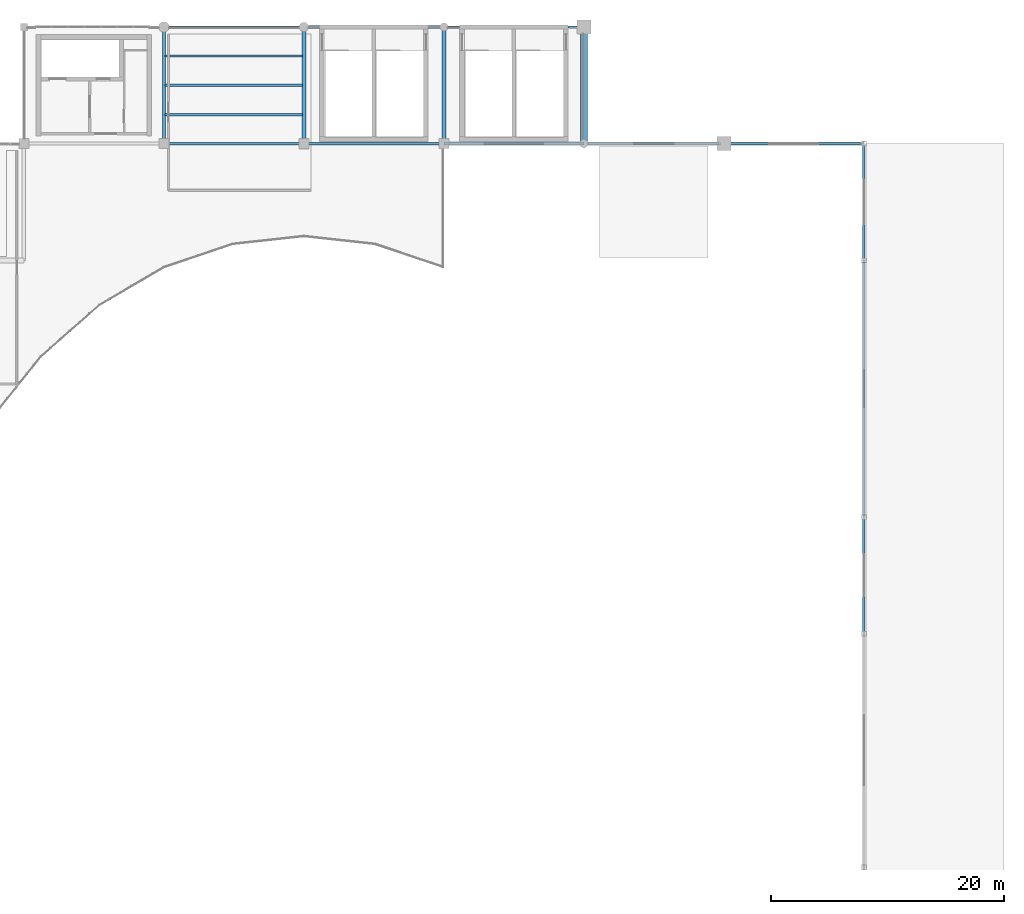
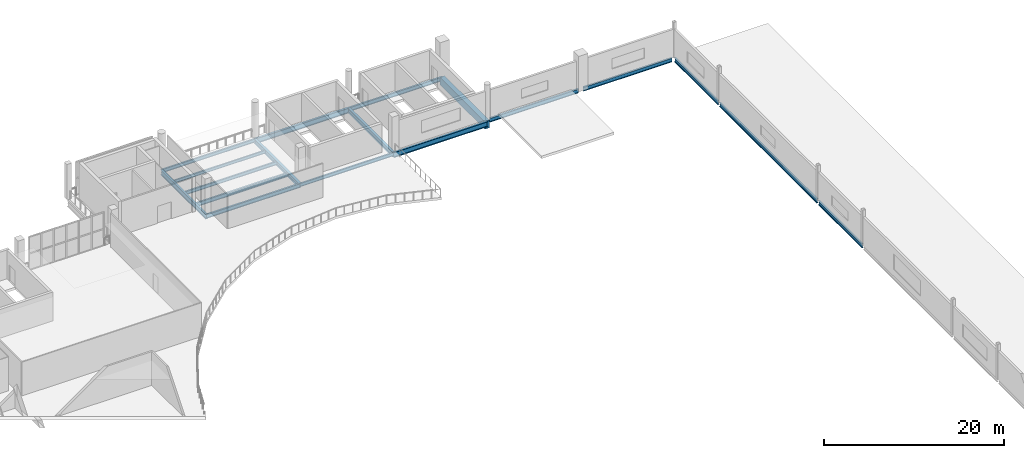
# One storey, part 29 of 49: 18 beams.
"""IFC4 building model written with IfcOpenShell, lengths in metres."""

from ifc_helpers import new_model, si_unit, direction, frame, origin, origin_2d, place, context, subcontext, project, spatial, rectangle, i_section, extrude, material, material_profile, profile_set, type_object, element, save


model = new_model("IFC4")

# Units and contexts
model_context = context("Model", 3, precision=1e-05, world=origin(), true_north=direction((0.0, 1.0)))
body_context = subcontext(model_context, "Body", "Model", "MODEL_VIEW")
ifc_project = project(units=[si_unit("LENGTHUNIT", "METRE"), si_unit("AREAUNIT", "SQUARE_METRE"), si_unit("VOLUMEUNIT", "CUBIC_METRE"), si_unit("PLANEANGLEUNIT", "RADIAN"), si_unit("MASSUNIT", "GRAM", prefix="KILO")], contexts=[model_context])

# Site, building, storey
site_placement = place(None, origin())
site = spatial("IfcSite", under=ifc_project, at=site_placement, CompositionType="ELEMENT")
building_placement = place(site_placement, origin())
building = spatial("IfcBuilding", under=site, at=building_placement, Name="Brinegate Civic Arena", CompositionType="ELEMENT")
storey_placement = place(building_placement, frame((0.0, 0.0, 24.60009765625)))
storey = spatial("IfcBuildingStorey", under=building, at=storey_placement, Name="L05", CompositionType="ELEMENT", Elevation=24.60009765625)

# Beams
ifc_material_1 = material(Name="Steel S355", Category="steel")
ifc_material_profile_1 = material_profile(ifc_material_1, i_section(OverallWidth=0.323974609375, OverallDepth=0.611083984375, WebThickness=0.012939453125, FlangeThickness=0.01904296875, FilletRadius=0.01611328125, at=origin_2d()), Name="W610X155")
ifc_profile_set_1 = profile_set([ifc_material_profile_1], Name="Steel S355")
beam_type_1 = type_object("IfcBeamType", Name="GIRDER-W610X155", PredefinedType="BEAM", material=ifc_profile_set_1)
beam_1_placement = place(storey_placement, frame((108.0, 114.0, -0.635009765625), z_axis=(0.0, 1.0, 0.0), x_axis=(-1.0, 0.0, 0.0)))
element("IfcBeam", 1, at=beam_1_placement, inside=storey, type_object=beam_type_1, Name="Floor Girder BM-L05-GY-09-11", PredefinedType="BEAM", context=body_context, shape_type="SweptSolid", body=[
    extrude(i_section(OverallWidth=0.323974609375, OverallDepth=0.611083984375, WebThickness=0.012939453125, FlangeThickness=0.01904296875, FilletRadius=0.01611328125, at=origin_2d()), origin(), (0.0, 0.0, 1.0), 10.0),
])
ifc_material_profile_2 = material_profile(ifc_material_1, i_section(OverallWidth=0.324951171875, OverallDepth=0.615966796875, WebThickness=0.013916015625, FlangeThickness=0.02197265625, FilletRadius=0.01611328125, at=origin_2d()), Name="W610X174")
ifc_profile_set_2 = profile_set([ifc_material_profile_2], Name="Steel S355")
beam_type_2 = type_object("IfcBeamType", Name="GIRDER-W610X174", PredefinedType="BEAM", material=ifc_profile_set_2)
beam_2_placement = place(storey_placement, frame((120.0, 114.0, -0.63818359375), z_axis=(0.0, 1.0, 0.0), x_axis=(-1.0, 0.0, 0.0)))
element("IfcBeam", 2, at=beam_2_placement, inside=storey, type_object=beam_type_2, Name="Floor Girder BM-L05-GY-10-11", PredefinedType="BEAM", context=body_context, shape_type="SweptSolid", body=[
    extrude(i_section(OverallWidth=0.324951171875, OverallDepth=0.615966796875, WebThickness=0.013916015625, FlangeThickness=0.02197265625, FilletRadius=0.01611328125, at=origin_2d()), origin(), (0.0, 0.0, 1.0), 10.0),
])
ifc_material_profile_3 = material_profile(ifc_material_1, i_section(OverallWidth=0.256103515625, OverallDepth=0.693115234375, WebThickness=0.014892578125, FlangeThickness=0.02392578125, FilletRadius=0.01806640625, at=origin_2d()), Name="W690X170")
ifc_profile_set_3 = profile_set([ifc_material_profile_3], Name="Steel S355")
beam_type_3 = type_object("IfcBeamType", Name="GIRDER-W690X170", PredefinedType="BEAM", material=ifc_profile_set_3)
beam_3_placement = place(storey_placement, frame((96.0, 114.0, -0.676025390625), z_axis=(0.0, 1.0, 0.0), x_axis=(-1.0, 0.0, 0.0)))
element("IfcBeam", 3, at=beam_3_placement, inside=storey, type_object=beam_type_3, Name="Floor Girder BM-L05-GY-08-11", PredefinedType="BEAM", context=body_context, shape_type="SweptSolid", body=[
    extrude(i_section(OverallWidth=0.256103515625, OverallDepth=0.693115234375, WebThickness=0.014892578125, FlangeThickness=0.02392578125, FilletRadius=0.01806640625, at=origin_2d()), origin(), (0.0, 0.0, 1.0), 10.0),
])
ifc_material_profile_4 = material_profile(ifc_material_1, i_section(OverallWidth=0.179931640625, OverallDepth=0.4130859375, WebThickness=0.010009765625, FlangeThickness=0.01611328125, FilletRadius=0.013916015625, at=origin_2d()), Name="W410X75")
ifc_profile_set_4 = profile_set([ifc_material_profile_4], Name="Steel S355")
beam_type_4 = type_object("IfcBeamType", Name="JOIST-W410X75", PredefinedType="JOIST", material=ifc_profile_set_4)
beam_4_placement = place(storey_placement, frame((96.10595703125, 121.5, -0.5361328125), z_axis=(1.0, 0.0, 0.0), x_axis=(0.0, 1.0, 0.0)))
element("IfcBeam", 4, at=beam_4_placement, inside=storey, type_object=beam_type_4, Name="Secondary Joist BM-L05-JX-08-11-3", PredefinedType="JOIST", context=body_context, shape_type="SweptSolid", body=[
    extrude(i_section(OverallWidth=0.179931640625, OverallDepth=0.4130859375, WebThickness=0.010009765625, FlangeThickness=0.01611328125, FilletRadius=0.013916015625, at=origin_2d()), origin(), (0.0, 0.0, 1.0), 11.7880859375),
])
ifc_material_profile_5 = material_profile(ifc_material_1, i_section(OverallWidth=0.193115234375, OverallDepth=0.466064453125, WebThickness=0.010986328125, FlangeThickness=0.01904296875, FilletRadius=0.014892578125, at=origin_2d()), Name="W460X97")
ifc_profile_set_5 = profile_set([ifc_material_profile_5], Name="Steel S355")
beam_type_5 = type_object("IfcBeamType", Name="JOIST-W460X97", PredefinedType="JOIST", material=ifc_profile_set_5)
beam_5_placement = place(storey_placement, frame((96.10595703125, 119.0, -0.56298828125), z_axis=(1.0, 0.0, 0.0), x_axis=(0.0, 1.0, 0.0)))
element("IfcBeam", 5, at=beam_5_placement, inside=storey, type_object=beam_type_5, Name="Secondary Joist BM-L05-JX-08-11-2", PredefinedType="JOIST", context=body_context, shape_type="SweptSolid", body=[
    extrude(i_section(OverallWidth=0.193115234375, OverallDepth=0.466064453125, WebThickness=0.010986328125, FlangeThickness=0.01904296875, FilletRadius=0.014892578125, at=origin_2d()), origin(), (0.0, 0.0, 1.0), 11.7880859375),
])
ifc_material_profile_6 = material_profile(ifc_material_1, i_section(OverallWidth=0.2119140625, OverallDepth=0.5439453125, WebThickness=0.012939453125, FlangeThickness=0.02099609375, FilletRadius=0.01611328125, at=origin_2d()), Name="W530X123")
ifc_profile_set_6 = profile_set([ifc_material_profile_6], Name="Steel S355")
beam_type_6 = type_object("IfcBeamType", Name="JOIST-W530X123", PredefinedType="JOIST", material=ifc_profile_set_6)
beam_6_placement = place(storey_placement, frame((96.10595703125, 116.5, -0.60205078125), z_axis=(1.0, 0.0, 0.0), x_axis=(0.0, 1.0, 0.0)))
element("IfcBeam", 6, at=beam_6_placement, inside=storey, type_object=beam_type_6, Name="Secondary Joist BM-L05-JX-08-11-1", PredefinedType="JOIST", context=body_context, shape_type="SweptSolid", body=[
    extrude(i_section(OverallWidth=0.2119140625, OverallDepth=0.5439453125, WebThickness=0.012939453125, FlangeThickness=0.02099609375, FilletRadius=0.01611328125, at=origin_2d()), origin(), (0.0, 0.0, 1.0), 11.7880859375),
])
ifc_material_2 = material(Name="Concrete C50/60", Category="concrete")
ifc_material_profile_7 = material_profile(ifc_material_2, rectangle(XDim=0.60009765625, YDim=1.0, at=origin_2d()), Name="RCB600X1000")
ifc_profile_set_7 = profile_set([ifc_material_profile_7], Name="Concrete C50/60")
beam_type_7 = type_object("IfcBeamType", Name="RCG-600X1000", PredefinedType="BEAM", material=ifc_profile_set_7)
beam_7_placement = place(storey_placement, frame((132.0, 114.0, -0.830078125), z_axis=(0.0, 1.0, 0.0), x_axis=(-1.0, 0.0, 0.0)))
element("IfcBeam", 7, at=beam_7_placement, inside=storey, type_object=beam_type_7, Name="Floor Girder BM-L05-GY-11-11", PredefinedType="BEAM", context=body_context, shape_type="SweptSolid", body=[
    extrude(rectangle(XDim=0.60009765625, YDim=1.0, at=origin_2d()), origin(), (0.0, 0.0, 1.0), 10.0),
])
ifc_material_profile_8 = material_profile(ifc_material_1, i_section(OverallWidth=0.193115234375, OverallDepth=0.466064453125, WebThickness=0.010986328125, FlangeThickness=0.01904296875, FilletRadius=0.014892578125, at=origin_2d()), Name="W460X97")
ifc_profile_set_8 = profile_set([ifc_material_profile_8], Name="Steel S355")
beam_type_8 = type_object("IfcBeamType", Name="SPANDREL-W460X97", PredefinedType="SPANDREL", material=ifc_profile_set_8)
for number, where, z_axis, x_axis, name in (
    (8, (108.0, 114.0, -0.56298828125), (1.0, 0.0, 0.0), (0.0, 1.0, 0.0), "Floor Girder BM-L05-GX-09-11"),
    (9, (96.0, 124.0, -0.56298828125), (1.0, 0.0, 0.0), (0.0, 1.0, 0.0), "Floor Girder BM-L05-GX-08-12"),
):
    element("IfcBeam", number, at=place(storey_placement, frame(where, z_axis=z_axis, x_axis=x_axis)), inside=storey, type_object=beam_type_8, Name=name, PredefinedType="SPANDREL", context=body_context, shape_type="SweptSolid", body=[
        extrude(i_section(OverallWidth=0.193115234375, OverallDepth=0.466064453125, WebThickness=0.010986328125, FlangeThickness=0.01904296875, FilletRadius=0.014892578125, at=origin_2d()), origin(), (0.0, 0.0, 1.0), 12.0),
    ])
ifc_material_profile_9 = material_profile(ifc_material_1, i_section(OverallWidth=0.2119140625, OverallDepth=0.5439453125, WebThickness=0.012939453125, FlangeThickness=0.02099609375, FilletRadius=0.01611328125, at=origin_2d()), Name="W530X123")
ifc_profile_set_9 = profile_set([ifc_material_profile_9], Name="Steel S355")
beam_type_9 = type_object("IfcBeamType", Name="SPANDREL-W530X123", PredefinedType="SPANDREL", material=ifc_profile_set_9)
for number, where, z_axis, x_axis, name in (
    (10, (96.0, 114.0, -0.60205078125), (1.0, 0.0, 0.0), (0.0, 1.0, 0.0), "Floor Girder BM-L05-GX-08-11"),
    (11, (120.0, 124.0, -0.60205078125), (1.0, 0.0, 0.0), (0.0, 1.0, 0.0), "Floor Girder BM-L05-GX-10-12"),
):
    element("IfcBeam", number, at=place(storey_placement, frame(where, z_axis=z_axis, x_axis=x_axis)), inside=storey, type_object=beam_type_9, Name=name, PredefinedType="SPANDREL", context=body_context, shape_type="SweptSolid", body=[
        extrude(i_section(OverallWidth=0.2119140625, OverallDepth=0.5439453125, WebThickness=0.012939453125, FlangeThickness=0.02099609375, FilletRadius=0.01611328125, at=origin_2d()), origin(), (0.0, 0.0, 1.0), 12.0),
    ])
beam_8_placement = place(storey_placement, frame((156.0, 72.14990234375, -0.272216796875), z_axis=(0.0, 1.0, 0.0), x_axis=(-1.0, 0.0, 0.0)))
element("IfcBeam", 12, at=beam_8_placement, inside=storey, type_object=beam_type_9, Name="East Drum L05 Spandrel Beam EDRM-5", PredefinedType="SPANDREL", context=body_context, shape_type="SweptSolid", body=[
    extrude(i_section(OverallWidth=0.2119140625, OverallDepth=0.5439453125, WebThickness=0.012939453125, FlangeThickness=0.02099609375, FilletRadius=0.01611328125, at=origin_2d()), origin(), (0.0, 0.0, 1.0), 9.7001953125),
])
beam_9_placement = place(storey_placement, frame((156.0, 82.14990234375, -0.272216796875), z_axis=(0.0, 1.0, 0.0), x_axis=(-1.0, 0.0, 0.0)))
element("IfcBeam", 13, at=beam_9_placement, inside=storey, type_object=beam_type_9, Name="East Drum L05 Spandrel Beam EDRM-6", PredefinedType="SPANDREL", context=body_context, shape_type="SweptSolid", body=[
    extrude(i_section(OverallWidth=0.2119140625, OverallDepth=0.5439453125, WebThickness=0.012939453125, FlangeThickness=0.02099609375, FilletRadius=0.01611328125, at=origin_2d()), origin(), (0.0, 0.0, 1.0), 21.7001953125),
])
beam_10_placement = place(storey_placement, frame((156.0, 104.14990234375, -0.272216796875), z_axis=(0.0, 1.0, 0.0), x_axis=(-1.0, 0.0, 0.0)))
element("IfcBeam", 14, at=beam_10_placement, inside=storey, type_object=beam_type_9, Name="East Drum L05 Spandrel Beam EDRM-7", PredefinedType="SPANDREL", context=body_context, shape_type="SweptSolid", body=[
    extrude(i_section(OverallWidth=0.2119140625, OverallDepth=0.5439453125, WebThickness=0.012939453125, FlangeThickness=0.02099609375, FilletRadius=0.01611328125, at=origin_2d()), origin(), (0.0, 0.0, 1.0), 9.7001953125),
])
for number, where, z_axis, x_axis, name in (
    (15, (132.31005859375, 114.0, -0.272216796875), (1.0, 0.0, 0.0), (0.0, 1.0, 0.0), "Gable L05 Spandrel Beam GBL-N07"),
    (16, (144.31005859375, 114.0, -0.272216796875), (1.0, 0.0, 0.0), (0.0, 1.0, 0.0), "Gable L05 Spandrel Beam GBL-N08"),
):
    element("IfcBeam", number, at=place(storey_placement, frame(where, z_axis=z_axis, x_axis=x_axis)), inside=storey, type_object=beam_type_9, Name=name, PredefinedType="SPANDREL", context=body_context, shape_type="SweptSolid", body=[
        extrude(i_section(OverallWidth=0.2119140625, OverallDepth=0.5439453125, WebThickness=0.012939453125, FlangeThickness=0.02099609375, FilletRadius=0.01611328125, at=origin_2d()), origin(), (0.0, 0.0, 1.0), 11.3798828125),
    ])
ifc_material_profile_10 = material_profile(ifc_material_1, i_section(OverallWidth=0.256103515625, OverallDepth=0.693115234375, WebThickness=0.014892578125, FlangeThickness=0.02392578125, FilletRadius=0.01806640625, at=origin_2d()), Name="W690X170")
ifc_profile_set_10 = profile_set([ifc_material_profile_10], Name="Steel S355")
beam_type_10 = type_object("IfcBeamType", Name="SPANDREL-W690X170", PredefinedType="SPANDREL", material=ifc_profile_set_10)
for number, where, z_axis, x_axis, name in (
    (17, (120.0, 114.0, -0.676025390625), (1.0, 0.0, 0.0), (0.0, 1.0, 0.0), "Floor Girder BM-L05-GX-10-11"),
    (18, (108.0, 124.0, -0.676025390625), (1.0, 0.0, 0.0), (0.0, 1.0, 0.0), "Floor Girder BM-L05-GX-09-12"),
):
    element("IfcBeam", number, at=place(storey_placement, frame(where, z_axis=z_axis, x_axis=x_axis)), inside=storey, type_object=beam_type_10, Name=name, PredefinedType="SPANDREL", context=body_context, shape_type="SweptSolid", body=[
        extrude(i_section(OverallWidth=0.256103515625, OverallDepth=0.693115234375, WebThickness=0.014892578125, FlangeThickness=0.02392578125, FilletRadius=0.01806640625, at=origin_2d()), origin(), (0.0, 0.0, 1.0), 12.0),
    ])

save(model, "model.ifc")
